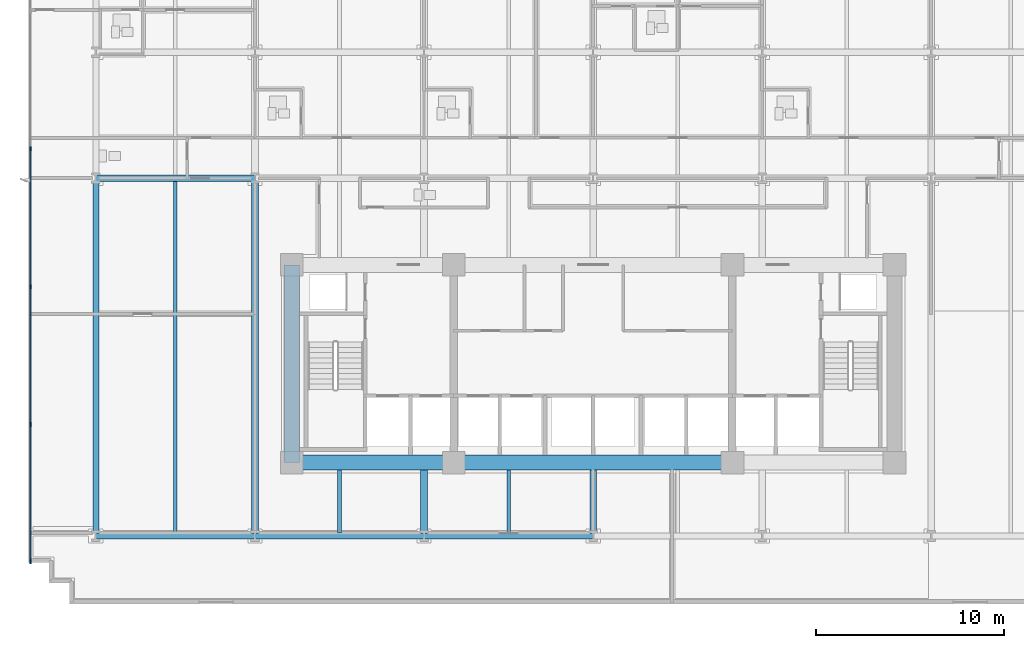
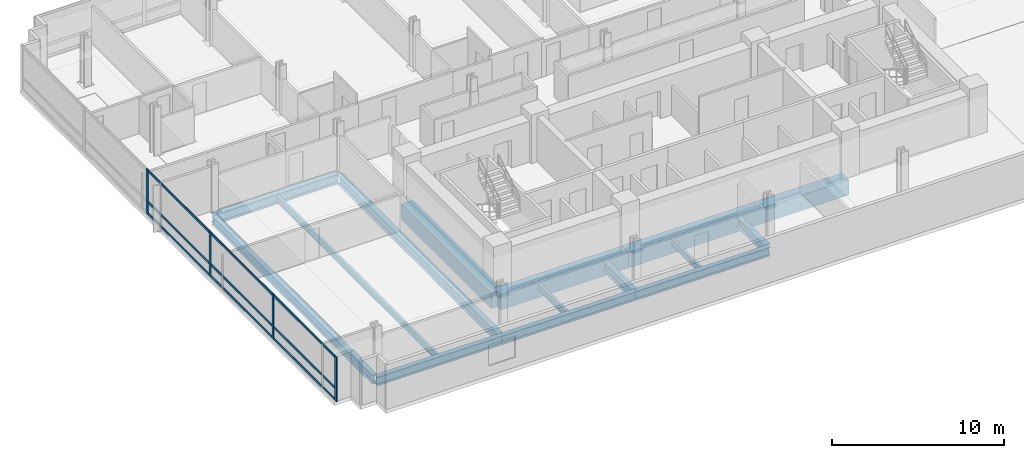
# One storey, part 2 of 16: 14 beams, 13 members, 1 element without a shape of its own.
"""IFC4 building model written with IfcOpenShell, lengths in metres."""

from ifc_helpers import new_model, si_unit, direction, frame, origin, origin_2d, place, context, subcontext, project, spatial, rectangle, i_section, extrude, material, material_profile, profile_set, type_object, element, aggregate, save


model = new_model("IFC4")

# Units and contexts
model_context = context("Model", 3, precision=1e-05, world=origin(), true_north=direction((0.0, 1.0)))
body_context = subcontext(model_context, "Body", "Model", "MODEL_VIEW")
ifc_project = project(units=[si_unit("LENGTHUNIT", "METRE"), si_unit("AREAUNIT", "SQUARE_METRE"), si_unit("VOLUMEUNIT", "CUBIC_METRE"), si_unit("PLANEANGLEUNIT", "RADIAN"), si_unit("MASSUNIT", "GRAM", prefix="KILO")], contexts=[model_context])

# Site, building, storey
site_placement = place(None, origin())
site = spatial("IfcSite", under=ifc_project, at=site_placement, CompositionType="ELEMENT")
building_placement = place(site_placement, origin())
building = spatial("IfcBuilding", under=site, at=building_placement, Name="Solmavex Isthmus Hotel", CompositionType="ELEMENT")
storey_placement = place(building_placement, frame((0.0, 0.0, 29.85009765625)))
storey = spatial("IfcBuildingStorey", under=building, at=storey_placement, Name="L07", CompositionType="ELEMENT", Elevation=29.85009765625)

# Beams
ifc_material_1 = material(Name="Steel ASTM A992 Grade 50", Category="steel")
ifc_material_profile_1 = material_profile(ifc_material_1, i_section(OverallWidth=0.354736328125, OverallDepth=0.695556640625, WebThickness=0.015380859375, FlangeThickness=0.02490234375, FilletRadius=0.017822265625, at=origin_2d()), Name="W27X146")
ifc_profile_set_1 = profile_set([ifc_material_profile_1], Name="Steel ASTM A992 Grade 50")
beam_type_1 = type_object("IfcBeamType", Name="BM-BG-W27X146", PredefinedType="BEAM", material=ifc_profile_set_1)
beam_1_placement = place(storey_placement, frame((-26.39990234375, 2.10009765625, -0.60791015625), z_axis=(1.0, 0.0, 0.0), x_axis=(0.0, 1.0, 0.0)))
element("IfcBeam", 1, at=beam_1_placement, inside=storey, type_object=beam_type_1, Name="Floor Girder L07-UG07", PredefinedType="BEAM", context=body_context, shape_type="SweptSolid", body=[
    extrude(i_section(OverallWidth=0.354736328125, OverallDepth=0.695556640625, WebThickness=0.015380859375, FlangeThickness=0.02490234375, FilletRadius=0.017822265625, at=origin_2d()), origin(), (0.0, 0.0, 1.0), 8.447998046875),
])
beam_2_placement = place(storey_placement, frame((-17.951904296875, -16.73681640625, -0.60791015625), z_axis=(0.0, 1.0, 0.0), x_axis=(-1.0, 0.0, 0.0)))
element("IfcBeam", 2, at=beam_2_placement, inside=storey, type_object=beam_type_1, Name="Floor Beam L07-VG28", PredefinedType="BEAM", context=body_context, shape_type="SweptSolid", body=[
    extrude(i_section(OverallWidth=0.354736328125, OverallDepth=0.695556640625, WebThickness=0.015380859375, FlangeThickness=0.02490234375, FilletRadius=0.017822265625, at=origin_2d()), origin(), (0.0, 0.0, 1.0), 18.659423828125),
])
for number, where, z_axis, x_axis, name in (
    (3, (-8.97607421875, -16.73681640625, -0.60791015625), (0.0, 1.0, 0.0), (-1.0, 0.0, 0.0), "Floor Beam L07-VG31"),
    (4, (0.0, -16.73681640625, -0.60791015625), (0.0, 1.0, 0.0), (-1.0, 0.0, 0.0), "Floor Beam L07-VG35"),
):
    element("IfcBeam", number, at=place(storey_placement, frame(where, z_axis=z_axis, x_axis=x_axis)), inside=storey, type_object=beam_type_1, Name=name, PredefinedType="BEAM", context=body_context, shape_type="SweptSolid", body=[
        extrude(i_section(OverallWidth=0.354736328125, OverallDepth=0.695556640625, WebThickness=0.015380859375, FlangeThickness=0.02490234375, FilletRadius=0.017822265625, at=origin_2d()), origin(), (0.0, 0.0, 1.0), 3.3369140625),
    ])
ifc_material_profile_2 = material_profile(ifc_material_1, i_section(OverallWidth=0.1904296875, OverallDepth=0.456787109375, WebThickness=0.009033203125, FlangeThickness=0.014404296875, FilletRadius=0.0126953125, at=origin_2d()), Name="W18X50")
ifc_profile_set_2 = profile_set([ifc_material_profile_2], Name="Steel ASTM A992 Grade 50")
beam_type_2 = type_object("IfcBeamType", Name="BM-BJ-W18X50", PredefinedType="JOIST", material=ifc_profile_set_2)
beam_3_placement = place(storey_placement, frame((-22.176025390625, -16.73681640625, -0.488525390625), z_axis=(0.0, 1.0, 0.0), x_axis=(-1.0, 0.0, 0.0)))
element("IfcBeam", 5, at=beam_3_placement, inside=storey, type_object=beam_type_2, Name="Secondary Floor Joist L07-J01", PredefinedType="JOIST", context=body_context, shape_type="SweptSolid", body=[
    extrude(i_section(OverallWidth=0.1904296875, OverallDepth=0.456787109375, WebThickness=0.009033203125, FlangeThickness=0.014404296875, FilletRadius=0.0126953125, at=origin_2d()), origin(), (0.0, 0.0, 1.0), 18.659423828125),
])
for number, where, z_axis, x_axis, name in (
    (6, (-13.464111328125, -16.73681640625, -0.488525390625), (0.0, 1.0, 0.0), (-1.0, 0.0, 0.0), "Secondary Floor Joist L07-J04"),
    (7, (-4.488037109375, -16.73681640625, -0.488525390625), (0.0, 1.0, 0.0), (-1.0, 0.0, 0.0), "Secondary Floor Joist L07-J08"),
):
    element("IfcBeam", number, at=place(storey_placement, frame(where, z_axis=z_axis, x_axis=x_axis)), inside=storey, type_object=beam_type_2, Name=name, PredefinedType="JOIST", context=body_context, shape_type="SweptSolid", body=[
        extrude(i_section(OverallWidth=0.1904296875, OverallDepth=0.456787109375, WebThickness=0.009033203125, FlangeThickness=0.014404296875, FilletRadius=0.0126953125, at=origin_2d()), origin(), (0.0, 0.0, 1.0), 3.3369140625),
    ])
ifc_material_2 = material(Name="Concrete C70/85", Category="concrete")
ifc_material_profile_3 = material_profile(ifc_material_2, rectangle(XDim=0.800048828125, YDim=1.10009765625, at=origin_2d()), Name="RC800X1100")
ifc_profile_set_3 = profile_set([ifc_material_profile_3], Name="Concrete C70/85")
beam_type_3 = type_object("IfcBeamType", Name="BM-CB-800X1100", PredefinedType="BEAM", material=ifc_profile_set_3)
beam_4_placement = place(storey_placement, frame((-16.0, -13.0, -0.81005859375), z_axis=(1.0, 0.0, 0.0), x_axis=(0.0, 1.0, 0.0)))
element("IfcBeam", 8, at=beam_4_placement, inside=storey, type_object=beam_type_3, Name="Core Coupling Beam L07-CB1", PredefinedType="BEAM", context=body_context, shape_type="SweptSolid", body=[
    extrude(rectangle(XDim=0.800048828125, YDim=1.10009765625, at=origin_2d()), origin(), (0.0, 0.0, 1.0), 8.60009765625),
])
beam_5_placement = place(storey_placement, frame((-7.39990234375, -13.0, -0.81005859375), z_axis=(1.0, 0.0, 0.0), x_axis=(0.0, 1.0, 0.0)))
element("IfcBeam", 9, at=beam_5_placement, inside=storey, type_object=beam_type_3, Name="Core Coupling Beam L07-CB2", PredefinedType="BEAM", context=body_context, shape_type="SweptSolid", body=[
    extrude(rectangle(XDim=0.800048828125, YDim=1.10009765625, at=origin_2d()), origin(), (0.0, 0.0, 1.0), 14.7998046875),
])
beam_6_placement = place(storey_placement, frame((-16.0, -13.0, -0.81005859375), z_axis=(0.0, 1.0, 0.0), x_axis=(-1.0, 0.0, 0.0)))
element("IfcBeam", 10, at=beam_6_placement, inside=storey, type_object=beam_type_3, Name="Core Coupling Beam L07-CB7", PredefinedType="BEAM", context=body_context, shape_type="SweptSolid", body=[
    extrude(rectangle(XDim=0.800048828125, YDim=1.10009765625, at=origin_2d()), origin(), (0.0, 0.0, 1.0), 10.5),
])
ifc_material_profile_4 = material_profile(ifc_material_1, i_section(OverallWidth=0.326416015625, OverallDepth=0.621826171875, WebThickness=0.015380859375, FlangeThickness=0.0244140625, FilletRadius=0.01513671875, at=origin_2d()), Name="W24X131")
ifc_profile_set_4 = profile_set([ifc_material_profile_4], Name="Steel ASTM A992 Grade 50")
beam_type_4 = type_object("IfcBeamType", Name="BM-SP-W24X131", PredefinedType="SPANDREL", material=ifc_profile_set_4)
beam_7_placement = place(storey_placement, frame((-26.39990234375, -16.89990234375, -0.571044921875), z_axis=(1.0, 0.0, 0.0), x_axis=(0.0, 1.0, 0.0)))
element("IfcBeam", 11, at=beam_7_placement, inside=storey, type_object=beam_type_4, Name="Floor Girder L07-UG01", PredefinedType="SPANDREL", context=body_context, shape_type="SweptSolid", body=[
    extrude(i_section(OverallWidth=0.326416015625, OverallDepth=0.621826171875, WebThickness=0.015380859375, FlangeThickness=0.0244140625, FilletRadius=0.01513671875, at=origin_2d()), origin(), (0.0, 0.0, 1.0), 8.447998046875),
])
beam_8_placement = place(storey_placement, frame((-17.951904296875, -16.89990234375, -0.571044921875), z_axis=(1.0, 0.0, 0.0), x_axis=(0.0, 1.0, 0.0)))
element("IfcBeam", 12, at=beam_8_placement, inside=storey, type_object=beam_type_4, Name="Floor Girder L07-UG02", PredefinedType="SPANDREL", context=body_context, shape_type="SweptSolid", body=[
    extrude(i_section(OverallWidth=0.326416015625, OverallDepth=0.621826171875, WebThickness=0.015380859375, FlangeThickness=0.0244140625, FilletRadius=0.01513671875, at=origin_2d()), origin(), (0.0, 0.0, 1.0), 8.975830078125),
])
beam_9_placement = place(storey_placement, frame((-8.97607421875, -16.89990234375, -0.571044921875), z_axis=(1.0, 0.0, 0.0), x_axis=(0.0, 1.0, 0.0)))
element("IfcBeam", 13, at=beam_9_placement, inside=storey, type_object=beam_type_4, Name="Floor Girder L07-UG03", PredefinedType="SPANDREL", context=body_context, shape_type="SweptSolid", body=[
    extrude(i_section(OverallWidth=0.326416015625, OverallDepth=0.621826171875, WebThickness=0.015380859375, FlangeThickness=0.0244140625, FilletRadius=0.01513671875, at=origin_2d()), origin(), (0.0, 0.0, 1.0), 8.97607421875),
])
beam_10_placement = place(storey_placement, frame((-26.39990234375, -16.73681640625, -0.571044921875), z_axis=(0.0, 1.0, 0.0), x_axis=(-1.0, 0.0, 0.0)))
element("IfcBeam", 14, at=beam_10_placement, inside=storey, type_object=beam_type_4, Name="Floor Beam L07-VG25", PredefinedType="SPANDREL", context=body_context, shape_type="SweptSolid", body=[
    extrude(i_section(OverallWidth=0.326416015625, OverallDepth=0.621826171875, WebThickness=0.015380859375, FlangeThickness=0.0244140625, FilletRadius=0.01513671875, at=origin_2d()), origin(), (0.0, 0.0, 1.0), 18.659423828125),
])

# Curtain wall, members
ifc_material_3 = material(Name="Aluminium alloy 6063-T6", Category="aluminium")
curtain_wall_type = type_object("IfcCurtainWallType", Name="CW-SYS-02", PredefinedType="NOTDEFINED", material=ifc_material_3)
curtain_wall_placement = place(storey_placement, origin())
curtain_wall = element("IfcCurtainWall", 15, at=curtain_wall_placement, inside=storey, type_object=curtain_wall_type, Name="Stick Curtain Wall CWL-L07-W1", PredefinedType="NOTDEFINED")
ifc_material_profile_5 = material_profile(ifc_material_3, rectangle(XDim=0.074951171875, YDim=0.219970703125, at=origin_2d()), Name="CWM-75X220")
ifc_profile_set_5 = profile_set([ifc_material_profile_5], Name="Aluminium alloy 6063-T6")
member_type_1 = type_object("IfcMemberType", Name="CW-SYS-02-MUL", PredefinedType="MULLION", material=ifc_profile_set_5)
member_1_placement = place(storey_placement, frame((-29.8798828125, -18.262451171875, 0.0), z_axis=(0.0, 0.0, 1.0), x_axis=(-1.0, 0.0, 0.0)))
member_1 = element("IfcMember", 16, at=member_1_placement, type_object=member_type_1, Name="CW-02 mullion 1", PredefinedType="MULLION", context=body_context, shape_type="SweptSolid", body=[
    extrude(rectangle(XDim=0.074951171875, YDim=0.219970703125, at=origin_2d()), origin(), (0.0, 0.0, 1.0), 3.18994140625),
])
member_2_placement = place(storey_placement, frame((-29.8798828125, -10.97998046875, 0.0), z_axis=(0.0, 0.0, 1.0), x_axis=(-1.0, 0.0, 0.0)))
member_2 = element("IfcMember", 17, at=member_2_placement, type_object=member_type_1, Name="CW-02 mullion 2", PredefinedType="MULLION", context=body_context, shape_type="SweptSolid", body=[
    extrude(rectangle(XDim=0.074951171875, YDim=0.219970703125, at=origin_2d()), origin(), (0.0, 0.0, 1.0), 3.18994140625),
])
member_3_placement = place(storey_placement, frame((-29.8798828125, -3.659912109375, 0.0), z_axis=(0.0, 0.0, 1.0), x_axis=(-1.0, 0.0, 0.0)))
member_3 = element("IfcMember", 18, at=member_3_placement, type_object=member_type_1, Name="CW-02 mullion 3", PredefinedType="MULLION", context=body_context, shape_type="SweptSolid", body=[
    extrude(rectangle(XDim=0.074951171875, YDim=0.219970703125, at=origin_2d()), origin(), (0.0, 0.0, 1.0), 3.18994140625),
])
member_4_placement = place(storey_placement, frame((-29.8798828125, 3.659912109375, 0.0), z_axis=(0.0, 0.0, 1.0), x_axis=(-1.0, 0.0, 0.0)))
member_4 = element("IfcMember", 19, at=member_4_placement, type_object=member_type_1, Name="CW-02 mullion 4", PredefinedType="MULLION", context=body_context, shape_type="SweptSolid", body=[
    extrude(rectangle(XDim=0.074951171875, YDim=0.219970703125, at=origin_2d()), origin(), (0.0, 0.0, 1.0), 3.18994140625),
])
ifc_material_profile_6 = material_profile(ifc_material_3, rectangle(XDim=0.074951171875, YDim=0.159912109375, at=origin_2d()), Name="CWT-75X160")
ifc_profile_set_6 = profile_set([ifc_material_profile_6], Name="Aluminium alloy 6063-T6")
member_type_2 = type_object("IfcMemberType", Name="CW-SYS-02-TRN", PredefinedType="USERDEFINED", material=ifc_profile_set_6)
member_5_placement = place(storey_placement, frame((-29.8798828125, -18.22509765625, 0.079833984375), z_axis=(0.0, 1.0, 0.0), x_axis=(-1.0, 0.0, 0.0)))
member_5 = element("IfcMember", 20, at=member_5_placement, type_object=member_type_2, Name="CW-02 transom 1.1", ObjectType="TRANSOM", PredefinedType="USERDEFINED", context=body_context, shape_type="SweptSolid", body=[
    extrude(rectangle(XDim=0.074951171875, YDim=0.159912109375, at=origin_2d()), origin(), (0.0, 0.0, 1.0), 7.20751953125),
])
member_6_placement = place(storey_placement, frame((-29.8798828125, -18.22509765625, 0.89990234375), z_axis=(0.0, 1.0, 0.0), x_axis=(-1.0, 0.0, 0.0)))
member_6 = element("IfcMember", 21, at=member_6_placement, type_object=member_type_2, Name="CW-02 transom 1.2", ObjectType="TRANSOM", PredefinedType="USERDEFINED", context=body_context, shape_type="SweptSolid", body=[
    extrude(rectangle(XDim=0.074951171875, YDim=0.159912109375, at=origin_2d()), origin(), (0.0, 0.0, 1.0), 7.20751953125),
])
member_7_placement = place(storey_placement, frame((-29.8798828125, -18.22509765625, 3.10986328125), z_axis=(0.0, 1.0, 0.0), x_axis=(-1.0, 0.0, 0.0)))
member_7 = element("IfcMember", 22, at=member_7_placement, type_object=member_type_2, Name="CW-02 transom 1.3", ObjectType="TRANSOM", PredefinedType="USERDEFINED", context=body_context, shape_type="SweptSolid", body=[
    extrude(rectangle(XDim=0.074951171875, YDim=0.159912109375, at=origin_2d()), origin(), (0.0, 0.0, 1.0), 7.20751953125),
])
member_8_placement = place(storey_placement, frame((-29.8798828125, -10.9423828125, 0.079833984375), z_axis=(0.0, 1.0, 0.0), x_axis=(-1.0, 0.0, 0.0)))
member_8 = element("IfcMember", 23, at=member_8_placement, type_object=member_type_2, Name="CW-02 transom 2.1", ObjectType="TRANSOM", PredefinedType="USERDEFINED", context=body_context, shape_type="SweptSolid", body=[
    extrude(rectangle(XDim=0.074951171875, YDim=0.159912109375, at=origin_2d()), origin(), (0.0, 0.0, 1.0), 7.244873046875),
])
member_9_placement = place(storey_placement, frame((-29.8798828125, -10.9423828125, 0.89990234375), z_axis=(0.0, 1.0, 0.0), x_axis=(-1.0, 0.0, 0.0)))
member_9 = element("IfcMember", 24, at=member_9_placement, type_object=member_type_2, Name="CW-02 transom 2.2", ObjectType="TRANSOM", PredefinedType="USERDEFINED", context=body_context, shape_type="SweptSolid", body=[
    extrude(rectangle(XDim=0.074951171875, YDim=0.159912109375, at=origin_2d()), origin(), (0.0, 0.0, 1.0), 7.244873046875),
])
member_10_placement = place(storey_placement, frame((-29.8798828125, -10.9423828125, 3.10986328125), z_axis=(0.0, 1.0, 0.0), x_axis=(-1.0, 0.0, 0.0)))
member_10 = element("IfcMember", 25, at=member_10_placement, type_object=member_type_2, Name="CW-02 transom 2.3", ObjectType="TRANSOM", PredefinedType="USERDEFINED", context=body_context, shape_type="SweptSolid", body=[
    extrude(rectangle(XDim=0.074951171875, YDim=0.159912109375, at=origin_2d()), origin(), (0.0, 0.0, 1.0), 7.244873046875),
])
member_11_placement = place(storey_placement, frame((-29.8798828125, -3.62255859375, 0.079833984375), z_axis=(0.0, 1.0, 0.0), x_axis=(-1.0, 0.0, 0.0)))
member_11 = element("IfcMember", 26, at=member_11_placement, type_object=member_type_2, Name="CW-02 transom 3.1", ObjectType="TRANSOM", PredefinedType="USERDEFINED", context=body_context, shape_type="SweptSolid", body=[
    extrude(rectangle(XDim=0.074951171875, YDim=0.159912109375, at=origin_2d()), origin(), (0.0, 0.0, 1.0), 7.2451171875),
])
member_12_placement = place(storey_placement, frame((-29.8798828125, -3.62255859375, 0.89990234375), z_axis=(0.0, 1.0, 0.0), x_axis=(-1.0, 0.0, 0.0)))
member_12 = element("IfcMember", 27, at=member_12_placement, type_object=member_type_2, Name="CW-02 transom 3.2", ObjectType="TRANSOM", PredefinedType="USERDEFINED", context=body_context, shape_type="SweptSolid", body=[
    extrude(rectangle(XDim=0.074951171875, YDim=0.159912109375, at=origin_2d()), origin(), (0.0, 0.0, 1.0), 7.2451171875),
])
member_13_placement = place(storey_placement, frame((-29.8798828125, -3.62255859375, 3.10986328125), z_axis=(0.0, 1.0, 0.0), x_axis=(-1.0, 0.0, 0.0)))
member_13 = element("IfcMember", 28, at=member_13_placement, type_object=member_type_2, Name="CW-02 transom 3.3", ObjectType="TRANSOM", PredefinedType="USERDEFINED", context=body_context, shape_type="SweptSolid", body=[
    extrude(rectangle(XDim=0.074951171875, YDim=0.159912109375, at=origin_2d()), origin(), (0.0, 0.0, 1.0), 7.2451171875),
])
aggregate(curtain_wall, [member_1, member_2, member_3, member_4, member_5, member_6, member_7, member_8, member_9, member_10, member_11, member_12, member_13])

save(model, "model.ifc")
